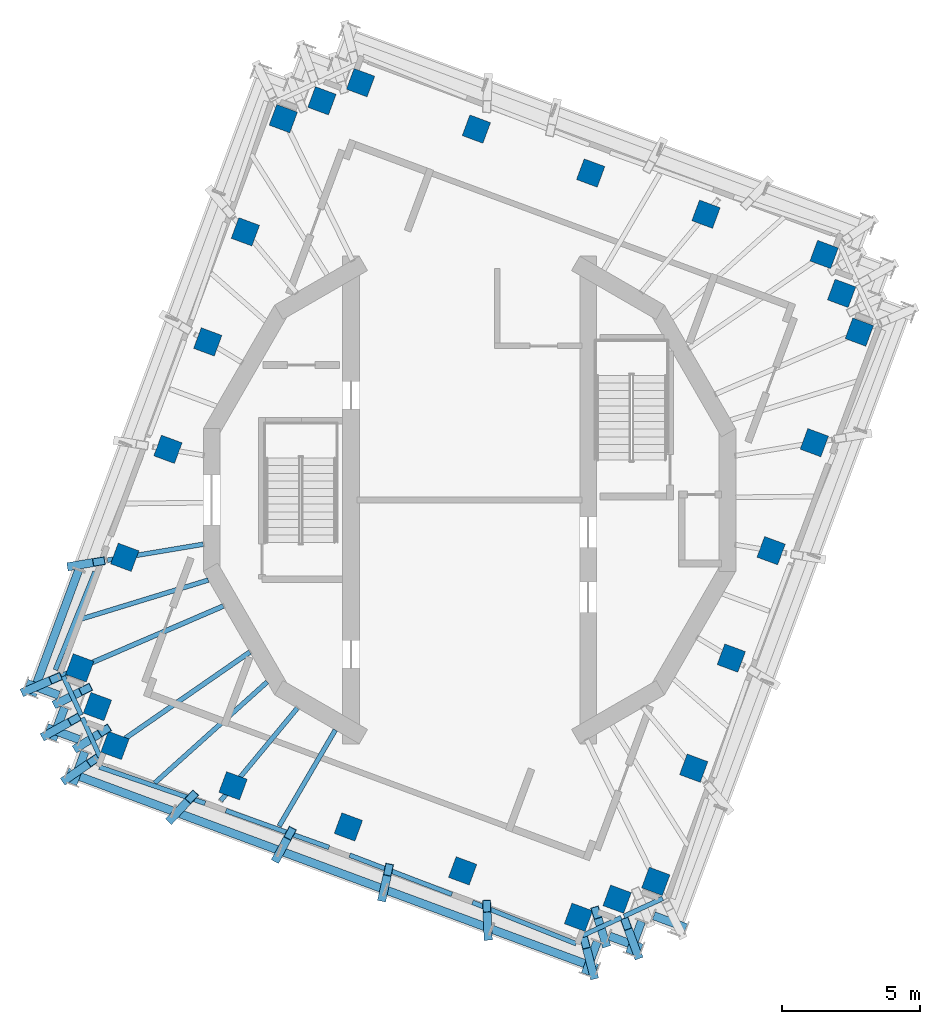
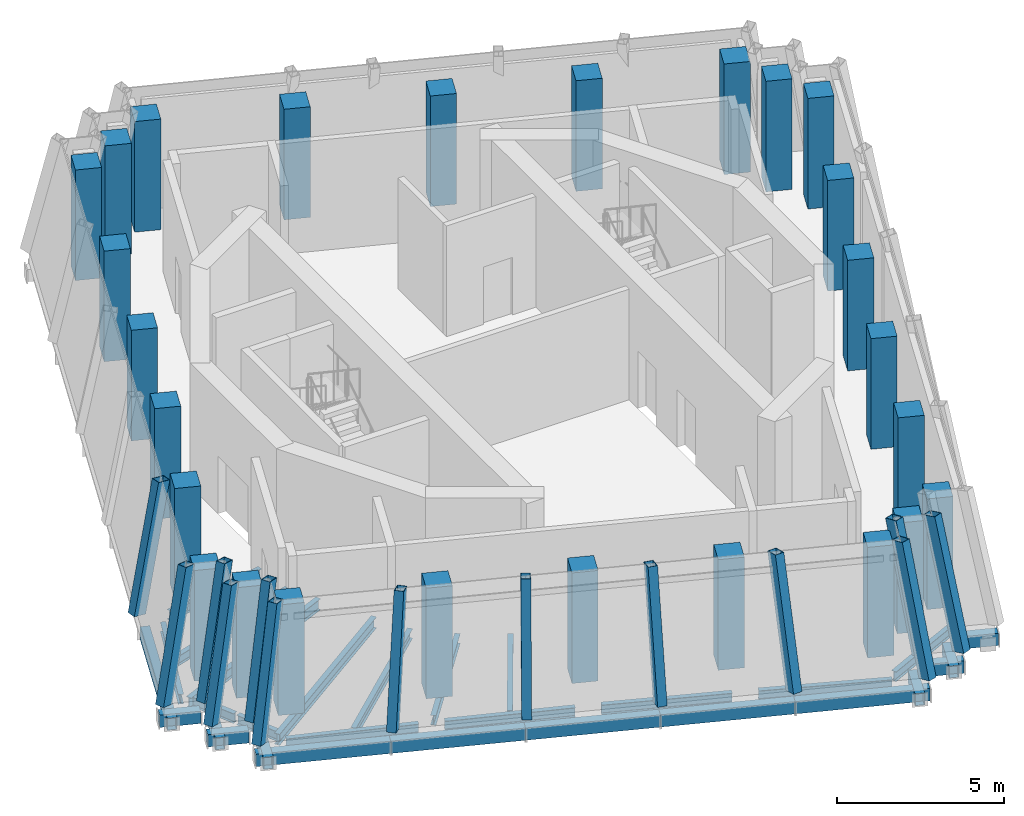
# One storey, part 1 of 12: 27 members, 26 columns, 16 beams, 14 elements without a shape of their own.
"""IFC4 building model written with IfcOpenShell, lengths in metres."""

from ifc_helpers import new_model, si_unit, direction, frame, origin, origin_2d, place, context, subcontext, project, spatial, rectangle, hollow_rectangle, i_section, extrude, material, material_profile, profile_set, type_object, element, aggregate, save


model = new_model("IFC4")

# Units and contexts
model_context = context("Model", 3, precision=1e-05, world=origin(), true_north=direction((0.0, 1.0)))
body_context = subcontext(model_context, "Body", "Model", "MODEL_VIEW")
ifc_project = project(units=[si_unit("LENGTHUNIT", "METRE"), si_unit("AREAUNIT", "SQUARE_METRE"), si_unit("VOLUMEUNIT", "CUBIC_METRE"), si_unit("PLANEANGLEUNIT", "RADIAN"), si_unit("MASSUNIT", "GRAM", prefix="KILO")], contexts=[model_context])

# Site, building, storey
site_placement = place(None, origin())
site = spatial("IfcSite", under=ifc_project, at=site_placement, CompositionType="ELEMENT")
building_placement = place(site_placement, origin())
building = spatial("IfcBuilding", under=site, at=building_placement, Name="Cantera Rosa Tower", CompositionType="ELEMENT")
storey_placement = place(building_placement, frame((0.0, 0.0, 360.699951171875)))
storey = spatial("IfcBuildingStorey", under=building, at=storey_placement, Name="L81", CompositionType="ELEMENT", Elevation=360.699951171875)

# Columns
ifc_material_1 = material(Name="Concrete C50/60", Category="concrete")
ifc_material_profile_1 = material_profile(ifc_material_1, rectangle(XDim=0.800048828125, YDim=0.800048828125, at=origin_2d()), Name="RC COLUMN RC800X800 C50/60")
ifc_profile_set_1 = profile_set([ifc_material_profile_1], Name="Concrete C50/60")
column_type = type_object("IfcColumnType", Name="RC COLUMN RC800X800 C50/60", PredefinedType="COLUMN", material=ifc_profile_set_1)
for number, where, z_axis, x_axis, name in (
    (1, (12.8642578125, 8.907470703125, 0.0), (0.0, 0.0, 1.0), (0.347481234489, 0.937686936924, 0.0), "C-Z6-01 L81"),
    (2, (8.580078125, 10.368896484375, 0.0), (0.0, 0.0, 1.0), (0.347481234489, 0.937686936924, 0.0), "C-Z6-02 L81"),
    (3, (4.39599609375, 11.86279296875, 0.0), (0.0, 0.0, 1.0), (0.347481234489, 0.937686936924, 0.0), "C-Z6-03 L81"),
    (4, (0.248779296875, 13.456298828125, 0.0), (0.0, 0.0, 1.0), (0.347481234489, 0.937686936924, 0.0), "C-Z6-04 L81"),
    (5, (-3.953125, 15.1396484375, 0.0), (0.0, 0.0, 1.0), (0.347481234489, 0.937686936924, 0.0), "C-Z6-05 L81"),
    (6, (-5.3544921875, 14.48291015625, 0.0), (0.0, 0.0, 1.0), (0.347481234489, 0.937686936924, 0.0), "C-Z6-06 L81"),
    (7, (-6.7578125, 13.8359375, 0.0), (0.0, 0.0, 1.0), (0.347481234489, 0.937686936924, 0.0), "C-Z6-07 L81"),
    (8, (-8.133544921875, 9.729248046875, 0.0), (0.0, 0.0, 1.0), (0.347481234489, 0.937686936924, 0.0), "C-Z6-08 L81"),
    (9, (-9.49755859375, 5.73583984375, 0.0), (0.0, 0.0, 1.0), (0.347481234489, 0.937686936924, 0.0), "C-Z6-09 L81"),
    (10, (-10.94189453125, 1.83837890625, 0.0), (0.0, 0.0, 1.0), (0.347481234489, 0.937686936924, 0.0), "C-Z6-10 L81"),
    (11, (-12.509521484375, -2.07958984375, 0.0), (0.0, 0.0, 1.0), (0.347481234489, 0.937686936924, 0.0), "C-Z6-11 L81"),
    (12, (-14.14208984375, -6.0908203125, 0.0), (0.0, 0.0, 1.0), (0.347481234489, 0.937686936924, 0.0), "C-Z6-12 L81"),
    (13, (-13.49951171875, -7.496337890625, 0.0), (0.0, 0.0, 1.0), (0.347481234489, 0.937686936924, 0.0), "C-Z6-13 L81"),
    (14, (-12.8642578125, -8.907470703125, 0.0), (0.0, 0.0, 1.0), (0.347481234489, 0.937686936924, 0.0), "C-Z6-14 L81"),
    (15, (-8.580078125, -10.368896484375, 0.0), (0.0, 0.0, 1.0), (0.347481234489, 0.937686936924, 0.0), "C-Z6-15 L81"),
    (16, (-4.39599609375, -11.86279296875, 0.0), (0.0, 0.0, 1.0), (0.347481234489, 0.937686936924, 0.0), "C-Z6-16 L81"),
    (17, (-0.248779296875, -13.456298828125, 0.0), (0.0, 0.0, 1.0), (0.347481234489, 0.937686936924, 0.0), "C-Z6-17 L81"),
    (18, (3.953125, -15.1396484375, 0.0), (0.0, 0.0, 1.0), (0.347481234489, 0.937686936924, 0.0), "C-Z6-18 L81"),
    (19, (5.3544921875, -14.48291015625, 0.0), (0.0, 0.0, 1.0), (0.347481234489, 0.937686936924, 0.0), "C-Z6-19 L81"),
    (20, (6.7578125, -13.8359375, 0.0), (0.0, 0.0, 1.0), (0.347481234489, 0.937686936924, 0.0), "C-Z6-20 L81"),
    (21, (8.133544921875, -9.729248046875, 0.0), (0.0, 0.0, 1.0), (0.347481234489, 0.937686936924, 0.0), "C-Z6-21 L81"),
    (22, (9.49755859375, -5.73583984375, 0.0), (0.0, 0.0, 1.0), (0.347481234489, 0.937686936924, 0.0), "C-Z6-22 L81"),
    (23, (10.94189453125, -1.83837890625, 0.0), (0.0, 0.0, 1.0), (0.347481234489, 0.937686936924, 0.0), "C-Z6-23 L81"),
    (24, (12.509521484375, 2.07958984375, 0.0), (0.0, 0.0, 1.0), (0.347481234489, 0.937686936924, 0.0), "C-Z6-24 L81"),
    (25, (14.14208984375, 6.0908203125, 0.0), (0.0, 0.0, 1.0), (0.347481234489, 0.937686936924, 0.0), "C-Z6-25 L81"),
    (26, (13.49951171875, 7.496337890625, 0.0), (0.0, 0.0, 1.0), (0.347481234489, 0.937686936924, 0.0), "C-Z6-26 L81"),
):
    element("IfcColumn", number, at=place(storey_placement, frame(where, z_axis=z_axis, x_axis=x_axis)), inside=storey, type_object=column_type, Name=name, PredefinedType="COLUMN", context=body_context, shape_type="SweptSolid", body=[
        extrude(rectangle(XDim=0.800048828125, YDim=0.800048828125, at=origin_2d()), origin(), (0.0, 0.0, 1.0), 4.050048828125),
    ])

# Curtain wall, member
ifc_material_2 = material(Name="Aluminium frame with clear glass", Category="aluminium")
curtain_wall_type = type_object("IfcCurtainWallType", Name="CW4 CROWN GLAZING", PredefinedType="NOTDEFINED", material=ifc_material_2)
curtain_wall_1_placement = place(storey_placement, origin())
curtain_wall_1 = element("IfcCurtainWall", 27, at=curtain_wall_1_placement, inside=storey, type_object=curtain_wall_type, Name="CW4 L81-14", PredefinedType="NOTDEFINED")
ifc_material_3 = material(Name="Steel S355J2 (EN 10025-2)", Category="steel")
ifc_material_profile_2 = material_profile(ifc_material_3, hollow_rectangle(XDim=0.300048828125, YDim=0.449951171875, WallThickness=0.01611328125, at=origin_2d()), Name="CROWN FRAME MULLION RHS 300x450x16")
ifc_profile_set_2 = profile_set([ifc_material_profile_2], Name="Steel S355J2 (EN 10025-2)")
member_type_1 = type_object("IfcMemberType", Name="CROWN FRAME MULLION RHS 300x450x16", PredefinedType="MULLION", material=ifc_profile_set_2)
member_1_placement = place(storey_placement, frame((-14.3740234375, -2.3896484375, 0.0), z_axis=(0.201701136075, 0.033563748815, 0.978871864174), x_axis=(-0.164146276387, 0.986436009049, 0.0)))
member_1 = element("IfcMember", 28, at=member_1_placement, type_object=member_type_1, Name="CROWN FRAME rib L81-14", PredefinedType="MULLION", context=body_context, shape_type="SweptSolid", body=[
    extrude(hollow_rectangle(XDim=0.300048828125, YDim=0.449951171875, WallThickness=0.01611328125, at=origin_2d()), origin(), (0.0, 0.0, 1.0), 4.59716796875),
])

curtain_wall_2_placement = place(storey_placement, origin())
curtain_wall_2 = element("IfcCurtainWall", 29, at=curtain_wall_2_placement, inside=storey, type_object=curtain_wall_type, Name="CW4 L81-15", PredefinedType="NOTDEFINED")
member_2_placement = place(storey_placement, frame((-16.050048828125, -6.91259765625, 0.0), z_axis=(0.223191165167, 0.096149554058, 0.970021116804), x_axis=(-0.395643566928, 0.918404141949, 0.0)))
member_2 = element("IfcMember", 30, at=member_2_placement, type_object=member_type_1, Name="CROWN FRAME rib L81-15", PredefinedType="MULLION", context=body_context, shape_type="SweptSolid", body=[
    extrude(hollow_rectangle(XDim=0.300048828125, YDim=0.449951171875, WallThickness=0.01611328125, at=origin_2d()), origin(), (0.0, 0.0, 1.0), 4.63916015625),
])

curtain_wall_3_placement = place(storey_placement, origin())
curtain_wall_3 = element("IfcCurtainWall", 31, at=curtain_wall_3_placement, inside=storey, type_object=curtain_wall_type, Name="CW4 L81-16", PredefinedType="NOTDEFINED")
member_3_placement = place(storey_placement, frame((-14.887451171875, -7.343505859375, 0.0), z_axis=(0.207633650864, 0.102444564394, 0.972827517217), x_axis=(-0.442465792491, 0.896785382617, 0.0)))
member_3 = element("IfcMember", 32, at=member_3_placement, type_object=member_type_1, Name="CROWN FRAME rib L81-16", PredefinedType="MULLION", context=body_context, shape_type="SweptSolid", body=[
    extrude(hollow_rectangle(XDim=0.300048828125, YDim=0.449951171875, WallThickness=0.01611328125, at=origin_2d()), origin(), (0.0, 0.0, 1.0), 4.625732421875),
])

curtain_wall_4_placement = place(storey_placement, origin())
curtain_wall_4 = element("IfcCurtainWall", 33, at=curtain_wall_4_placement, inside=storey, type_object=curtain_wall_type, Name="CW4 L81-17", PredefinedType="NOTDEFINED")
member_4_placement = place(storey_placement, frame((-15.318359375, -8.50634765625, 0.0), z_axis=(0.212999998171, 0.118286560249, 0.96986560432), x_axis=(-0.485496229045, 0.874238761199, 0.0)))
member_4 = element("IfcMember", 34, at=member_4_placement, type_object=member_type_1, Name="CROWN FRAME rib L81-17", PredefinedType="MULLION", context=body_context, shape_type="SweptSolid", body=[
    extrude(hollow_rectangle(XDim=0.300048828125, YDim=0.449951171875, WallThickness=0.01611328125, at=origin_2d()), origin(), (0.0, 0.0, 1.0), 4.639892578125),
])

curtain_wall_5_placement = place(storey_placement, origin())
curtain_wall_5 = element("IfcCurtainWall", 35, at=curtain_wall_5_placement, inside=storey, type_object=curtain_wall_type, Name="CW4 L81-18", PredefinedType="NOTDEFINED")
member_5_placement = place(storey_placement, frame((-14.155517578125, -8.93701171875, 0.0), z_axis=(0.197357778973, 0.124555390579, 0.972386683247), x_axis=(-0.53371229753, 0.845666118196, 0.0)))
member_5 = element("IfcMember", 36, at=member_5_placement, type_object=member_type_1, Name="CROWN FRAME rib L81-18", PredefinedType="MULLION", context=body_context, shape_type="SweptSolid", body=[
    extrude(hollow_rectangle(XDim=0.300048828125, YDim=0.449951171875, WallThickness=0.01611328125, at=origin_2d()), origin(), (0.0, 0.0, 1.0), 4.627685546875),
])

curtain_wall_6_placement = place(storey_placement, origin())
curtain_wall_6 = element("IfcCurtainWall", 37, at=curtain_wall_6_placement, inside=storey, type_object=curtain_wall_type, Name="CW4 L81-19", PredefinedType="NOTDEFINED")
member_6_placement = place(storey_placement, frame((-14.58642578125, -10.099853515625, 0.0), z_axis=(0.202691806928, 0.140333186171, 0.969134989701), x_axis=(-0.569232159269, 0.822176835513, 0.0)))
member_6 = element("IfcMember", 38, at=member_6_placement, type_object=member_type_1, Name="CROWN FRAME rib L81-19", PredefinedType="MULLION", context=body_context, shape_type="SweptSolid", body=[
    extrude(hollow_rectangle(XDim=0.300048828125, YDim=0.449951171875, WallThickness=0.01611328125, at=origin_2d()), origin(), (0.0, 0.0, 1.0), 4.643310546875),
])

curtain_wall_7_placement = place(storey_placement, origin())
curtain_wall_7 = element("IfcCurtainWall", 39, at=curtain_wall_7_placement, inside=storey, type_object=curtain_wall_type, Name="CW4 L81-20", PredefinedType="NOTDEFINED")
member_7_placement = place(storey_placement, frame((-10.772705078125, -11.51318359375, 0.0), z_axis=(0.150657300522, 0.161029211622, 0.975382986731), x_axis=(-0.730232793213, 0.683198410212, 0.0)))
member_7 = element("IfcMember", 40, at=member_7_placement, type_object=member_type_1, Name="CROWN FRAME rib L81-20", PredefinedType="MULLION", context=body_context, shape_type="SweptSolid", body=[
    extrude(hollow_rectangle(XDim=0.300048828125, YDim=0.449951171875, WallThickness=0.01611328125, at=origin_2d()), origin(), (0.0, 0.0, 1.0), 4.613525390625),
])

curtain_wall_8_placement = place(storey_placement, origin())
curtain_wall_8 = element("IfcCurtainWall", 41, at=curtain_wall_8_placement, inside=storey, type_object=curtain_wall_type, Name="CW4 L81-21", PredefinedType="NOTDEFINED")
member_8_placement = place(storey_placement, frame((-6.958984375, -12.926513671875, 0.0), z_axis=(0.097632922217, 0.181356205706, 0.978559011584), x_axis=(-0.880512480257, 0.474022965806, 0.0)))
member_8 = element("IfcMember", 42, at=member_8_placement, type_object=member_type_1, Name="CROWN FRAME rib L81-21", PredefinedType="MULLION", context=body_context, shape_type="SweptSolid", body=[
    extrude(hollow_rectangle(XDim=0.300048828125, YDim=0.449951171875, WallThickness=0.01611328125, at=origin_2d()), origin(), (0.0, 0.0, 1.0), 4.5986328125),
])

curtain_wall_9_placement = place(storey_placement, origin())
curtain_wall_9 = element("IfcCurtainWall", 43, at=curtain_wall_9_placement, inside=storey, type_object=curtain_wall_type, Name="CW4 L81-22", PredefinedType="NOTDEFINED")
member_9_placement = place(storey_placement, frame((-3.145263671875, -14.339599609375, 0.0), z_axis=(0.044171205437, 0.201159492068, 0.978562089681), x_axis=(-0.976729857256, 0.214473275597, 0.0)))
member_9 = element("IfcMember", 44, at=member_9_placement, type_object=member_type_1, Name="CROWN FRAME rib L81-22", PredefinedType="MULLION", context=body_context, shape_type="SweptSolid", body=[
    extrude(hollow_rectangle(XDim=0.300048828125, YDim=0.449951171875, WallThickness=0.01611328125, at=origin_2d()), origin(), (0.0, 0.0, 1.0), 4.5986328125),
])

curtain_wall_10_placement = place(storey_placement, origin())
curtain_wall_10 = element("IfcCurtainWall", 45, at=curtain_wall_10_placement, inside=storey, type_object=curtain_wall_type, Name="CW4 L81-23", PredefinedType="NOTDEFINED")
member_10_placement = place(storey_placement, frame((0.668701171875, -15.7529296875, 0.0), z_axis=(-0.009366514803, 0.220298311451, 0.975387575465), x_axis=(-0.999097358313, -0.042479037334, 0.0)))
member_10 = element("IfcMember", 46, at=member_10_placement, type_object=member_type_1, Name="CROWN FRAME rib L81-23", PredefinedType="MULLION", context=body_context, shape_type="SweptSolid", body=[
    extrude(hollow_rectangle(XDim=0.300048828125, YDim=0.449951171875, WallThickness=0.01611328125, at=origin_2d()), origin(), (0.0, 0.0, 1.0), 4.613525390625),
])

curtain_wall_11_placement = place(storey_placement, origin())
curtain_wall_11 = element("IfcCurtainWall", 47, at=curtain_wall_11_placement, inside=storey, type_object=curtain_wall_type, Name="CW4 L81-24", PredefinedType="NOTDEFINED")
member_11_placement = place(storey_placement, frame((4.482421875, -17.166259765625, 0.0), z_axis=(-0.062306478041, 0.238499733664, 0.96914177489), x_axis=(-0.967528872957, -0.252760519059, 0.0)))
member_11 = element("IfcMember", 48, at=member_11_placement, type_object=member_type_1, Name="CROWN FRAME rib L81-24", PredefinedType="MULLION", context=body_context, shape_type="SweptSolid", body=[
    extrude(hollow_rectangle(XDim=0.300048828125, YDim=0.449951171875, WallThickness=0.01611328125, at=origin_2d()), origin(), (0.0, 0.0, 1.0), 4.643310546875),
])

curtain_wall_12_placement = place(storey_placement, origin())
curtain_wall_12 = element("IfcCurtainWall", 49, at=curtain_wall_12_placement, inside=storey, type_object=curtain_wall_type, Name="CW4 L81-25", PredefinedType="NOTDEFINED")
member_12_placement = place(storey_placement, frame((4.913330078125, -16.00341796875, 0.0), z_axis=(-0.068528972044, 0.223101634159, 0.972383381607), x_axis=(-0.955920630537, -0.293625183038, 0.0)))
member_12 = element("IfcMember", 50, at=member_12_placement, type_object=member_type_1, Name="CROWN FRAME rib L81-25", PredefinedType="MULLION", context=body_context, shape_type="SweptSolid", body=[
    extrude(hollow_rectangle(XDim=0.300048828125, YDim=0.449951171875, WallThickness=0.01611328125, at=origin_2d()), origin(), (0.0, 0.0, 1.0), 4.627685546875),
])

curtain_wall_13_placement = place(storey_placement, origin())
curtain_wall_13 = element("IfcCurtainWall", 51, at=curtain_wall_13_placement, inside=storey, type_object=curtain_wall_type, Name="CW4 L81-26", PredefinedType="NOTDEFINED")
member_13_placement = place(storey_placement, frame((6.075927734375, -16.434326171875, 0.0), z_axis=(-0.084453064974, 0.228523153383, 0.969868469528), x_axis=(-0.937996025489, -0.34664600988, 0.0)))
member_13 = element("IfcMember", 52, at=member_13_placement, type_object=member_type_1, Name="CROWN FRAME rib L81-26", PredefinedType="MULLION", context=body_context, shape_type="SweptSolid", body=[
    extrude(hollow_rectangle(XDim=0.300048828125, YDim=0.449951171875, WallThickness=0.01611328125, at=origin_2d()), origin(), (0.0, 0.0, 1.0), 4.639892578125),
])

# Member
ifc_material_4 = material(Name="Steel S355J2 (EN 10025-2)", Category="steel")
ifc_material_profile_3 = material_profile(ifc_material_4, hollow_rectangle(XDim=0.300048828125, YDim=0.449951171875, WallThickness=0.01611328125, at=origin_2d()), Name="CROWN FRAME PURLIN RHS 300x450x16")
ifc_profile_set_3 = profile_set([ifc_material_profile_3], Name="Steel S355J2 (EN 10025-2)")
member_type_2 = type_object("IfcMemberType", Name="CROWN FRAME PURLIN RHS 300x450x16", PredefinedType="PURLIN", material=ifc_profile_set_3)
member_14_placement = place(storey_placement, frame((-14.17724609375, -2.5302734375, -0.675048828125), z_axis=(-0.347497368256, -0.937680958032, 0.0), x_axis=(0.937680958032, -0.347497368256, 0.0)))
member_14 = element("IfcMember", 53, at=member_14_placement, type_object=member_type_2, Name="CROWN FRAME purlin L81-14", PredefinedType="PURLIN", context=body_context, shape_type="SweptSolid", body=[
    extrude(hollow_rectangle(XDim=0.300048828125, YDim=0.449951171875, WallThickness=0.01611328125, at=origin_2d()), origin(), (0.0, 0.0, 1.0), 4.865966796875),
])

aggregate(curtain_wall_1, [member_1, member_14])

member_15_placement = place(storey_placement, frame((-16.072021484375, -6.650146484375, -0.675048828125), z_axis=(0.937661634889, -0.347549505044, 0.0), x_axis=(0.347549505044, 0.937661634889, 0.0)))
member_15 = element("IfcMember", 54, at=member_15_placement, type_object=member_type_2, Name="CROWN FRAME purlin L81-15", PredefinedType="PURLIN", context=body_context, shape_type="SweptSolid", body=[
    extrude(hollow_rectangle(XDim=0.300048828125, YDim=0.449951171875, WallThickness=0.01611328125, at=origin_2d()), origin(), (0.0, 0.0, 1.0), 1.2509765625),
])

aggregate(curtain_wall_2, [member_2, member_15])

member_16_placement = place(storey_placement, frame((-14.695556640625, -7.528564453125, -0.675048828125), z_axis=(-0.347377916131, -0.93772521742, 0.0), x_axis=(0.93772521742, -0.347377916131, 0.0)))
member_16 = element("IfcMember", 55, at=member_16_placement, type_object=member_type_2, Name="CROWN FRAME purlin L81-16", PredefinedType="PURLIN", context=body_context, shape_type="SweptSolid", body=[
    extrude(hollow_rectangle(XDim=0.300048828125, YDim=0.449951171875, WallThickness=0.01611328125, at=origin_2d()), origin(), (0.0, 0.0, 1.0), 1.2509765625),
])

aggregate(curtain_wall_3, [member_3, member_16])

member_17_placement = place(storey_placement, frame((-15.332763671875, -8.258056640625, -0.675048828125), z_axis=(0.937661634889, -0.347549505044, 0.0), x_axis=(0.347549505044, 0.937661634889, 0.0)))
member_17 = element("IfcMember", 56, at=member_17_placement, type_object=member_type_2, Name="CROWN FRAME purlin L81-17", PredefinedType="PURLIN", context=body_context, shape_type="SweptSolid", body=[
    extrude(hollow_rectangle(XDim=0.300048828125, YDim=0.449951171875, WallThickness=0.01611328125, at=origin_2d()), origin(), (0.0, 0.0, 1.0), 1.2509765625),
])

aggregate(curtain_wall_4, [member_4, member_17])

member_18_placement = place(storey_placement, frame((-13.95751953125, -9.137451171875, -0.675048828125), z_axis=(-0.347549505044, -0.937661634889, 0.0), x_axis=(0.937661634889, -0.347549505044, 0.0)))
member_18 = element("IfcMember", 57, at=member_18_placement, type_object=member_type_2, Name="CROWN FRAME purlin L81-18", PredefinedType="PURLIN", context=body_context, shape_type="SweptSolid", body=[
    extrude(hollow_rectangle(XDim=0.300048828125, YDim=0.449951171875, WallThickness=0.01611328125, at=origin_2d()), origin(), (0.0, 0.0, 1.0), 1.2509765625),
])

aggregate(curtain_wall_5, [member_5, member_18])

member_19_placement = place(storey_placement, frame((-14.593505859375, -9.865966796875, -0.675048828125), z_axis=(0.937681980064, -0.347494610408, 0.0), x_axis=(0.347494610408, 0.937681980064, 0.0)))
member_19 = element("IfcMember", 58, at=member_19_placement, type_object=member_type_2, Name="CROWN FRAME purlin L81-19", PredefinedType="PURLIN", context=body_context, shape_type="SweptSolid", body=[
    extrude(hollow_rectangle(XDim=0.300048828125, YDim=0.449951171875, WallThickness=0.01611328125, at=origin_2d()), origin(), (0.0, 0.0, 1.0), 4.102294921875),
])

aggregate(curtain_wall_6, [member_6, member_19])

member_20_placement = place(storey_placement, frame((-10.746826171875, -11.29150390625, -0.675048828125), z_axis=(0.937681980064, -0.347494610408, 0.0), x_axis=(0.347494610408, 0.937681980064, 0.0)))
member_20 = element("IfcMember", 59, at=member_20_placement, type_object=member_type_2, Name="CROWN FRAME purlin L81-20", PredefinedType="PURLIN", context=body_context, shape_type="SweptSolid", body=[
    extrude(hollow_rectangle(XDim=0.300048828125, YDim=0.449951171875, WallThickness=0.01611328125, at=origin_2d()), origin(), (0.0, 0.0, 1.0), 4.102294921875),
])

aggregate(curtain_wall_7, [member_7, member_20])

member_21_placement = place(storey_placement, frame((-6.900146484375, -12.717041015625, -0.675048828125), z_axis=(0.937689165769, -0.347475219834, 0.0), x_axis=(0.347475219834, 0.937689165769, 0.0)))
member_21 = element("IfcMember", 60, at=member_21_placement, type_object=member_type_2, Name="CROWN FRAME purlin L81-21", PredefinedType="PURLIN", context=body_context, shape_type="SweptSolid", body=[
    extrude(hollow_rectangle(XDim=0.300048828125, YDim=0.449951171875, WallThickness=0.01611328125, at=origin_2d()), origin(), (0.0, 0.0, 1.0), 4.1025390625),
])

aggregate(curtain_wall_8, [member_8, member_21])

member_22_placement = place(storey_placement, frame((-3.05322265625, -14.142578125, -0.675048828125), z_axis=(0.937701370587, -0.3474422824, 0.0), x_axis=(0.3474422824, 0.937701370587, 0.0)))
member_22 = element("IfcMember", 61, at=member_22_placement, type_object=member_type_2, Name="CROWN FRAME purlin L81-22", PredefinedType="PURLIN", context=body_context, shape_type="SweptSolid", body=[
    extrude(hollow_rectangle(XDim=0.300048828125, YDim=0.449951171875, WallThickness=0.01611328125, at=origin_2d()), origin(), (0.0, 0.0, 1.0), 4.102294921875),
])

aggregate(curtain_wall_9, [member_9, member_22])

member_23_placement = place(storey_placement, frame((0.79345703125, -15.56787109375, -0.675048828125), z_axis=(0.937681980064, -0.347494610408, 0.0), x_axis=(0.347494610408, 0.937681980064, 0.0)))
member_23 = element("IfcMember", 62, at=member_23_placement, type_object=member_type_2, Name="CROWN FRAME purlin L81-23", PredefinedType="PURLIN", context=body_context, shape_type="SweptSolid", body=[
    extrude(hollow_rectangle(XDim=0.300048828125, YDim=0.449951171875, WallThickness=0.01611328125, at=origin_2d()), origin(), (0.0, 0.0, 1.0), 4.102294921875),
])

aggregate(curtain_wall_10, [member_10, member_23])

member_24_placement = place(storey_placement, frame((4.19775390625, -17.199462890625, -0.675048828125), z_axis=(0.347549505044, 0.937661634889, 0.0), x_axis=(-0.937661634889, 0.347549505044, 0.0)))
member_24 = element("IfcMember", 63, at=member_24_placement, type_object=member_type_2, Name="CROWN FRAME purlin L81-24", PredefinedType="PURLIN", context=body_context, shape_type="SweptSolid", body=[
    extrude(hollow_rectangle(XDim=0.300048828125, YDim=0.449951171875, WallThickness=0.01611328125, at=origin_2d()), origin(), (0.0, 0.0, 1.0), 1.2509765625),
])

aggregate(curtain_wall_11, [member_11, member_24])

member_25_placement = place(storey_placement, frame((5.07568359375, -15.821044921875, -0.675048828125), z_axis=(0.937701661187, -0.347441498108, 0.0), x_axis=(0.347441498108, 0.937701661187, 0.0)))
member_25 = element("IfcMember", 64, at=member_25_placement, type_object=member_type_2, Name="CROWN FRAME purlin L81-25", PredefinedType="PURLIN", context=body_context, shape_type="SweptSolid", body=[
    extrude(hollow_rectangle(XDim=0.300048828125, YDim=0.449951171875, WallThickness=0.01611328125, at=origin_2d()), origin(), (0.0, 0.0, 1.0), 1.250732421875),
])

aggregate(curtain_wall_12, [member_12, member_25])

member_26_placement = place(storey_placement, frame((5.805908203125, -16.4599609375, -0.675048828125), z_axis=(0.3476131098, 0.937638056979, 0.0), x_axis=(-0.937638056979, 0.3476131098, 0.0)))
member_26 = element("IfcMember", 65, at=member_26_placement, type_object=member_type_2, Name="CROWN FRAME purlin L81-26", PredefinedType="PURLIN", context=body_context, shape_type="SweptSolid", body=[
    extrude(hollow_rectangle(XDim=0.300048828125, YDim=0.449951171875, WallThickness=0.01611328125, at=origin_2d()), origin(), (0.0, 0.0, 1.0), 1.2509765625),
])

aggregate(curtain_wall_13, [member_13, member_26])

# Curtain wall, member
curtain_wall_14_placement = place(storey_placement, origin())
curtain_wall_14 = element("IfcCurtainWall", 66, at=curtain_wall_14_placement, inside=storey, type_object=curtain_wall_type, Name="CW4 L81-27", PredefinedType="NOTDEFINED")
member_27_placement = place(storey_placement, frame((6.68408203125, -15.0830078125, -0.675048828125), z_axis=(0.93772521742, -0.347377916131, 0.0), x_axis=(0.347377916131, 0.93772521742, 0.0)))
member_27 = element("IfcMember", 67, at=member_27_placement, type_object=member_type_2, Name="CROWN FRAME purlin L81-27", PredefinedType="PURLIN", context=body_context, shape_type="SweptSolid", body=[
    extrude(hollow_rectangle(XDim=0.300048828125, YDim=0.449951171875, WallThickness=0.01611328125, at=origin_2d()), origin(), (0.0, 0.0, 1.0), 1.2509765625),
])
aggregate(curtain_wall_14, [member_27])

# Beams
ifc_material_5 = material(Name="Steel ASTM A992 (Fy 345 MPa)", Category="steel")
ifc_material_profile_4 = material_profile(ifc_material_5, i_section(OverallWidth=0.1708984375, OverallDepth=0.35595703125, WebThickness=0.00732421875, FlangeThickness=0.01171875, FilletRadius=0.010009765625, at=origin_2d()), Name="W360X51")
ifc_profile_set_4 = profile_set([ifc_material_profile_4], Name="Steel ASTM A992 (Fy 345 MPa)")
beam_type_1 = type_object("IfcBeamType", Name="STEEL BEAM W360X51", PredefinedType="BEAM", material=ifc_profile_set_4)
beam_1_placement = place(storey_placement, frame((-13.140869140625, -2.1845703125, -0.6279296875), z_axis=(0.986459278503, 0.164006377486, 0.0), x_axis=(-0.164006377486, 0.986459278503, 0.0)))
element("IfcBeam", 68, at=beam_1_placement, inside=storey, type_object=beam_type_1, Name="CG-Z6-07 L81", PredefinedType="BEAM", context=body_context, shape_type="SweptSolid", body=[
    extrude(i_section(OverallWidth=0.1708984375, OverallDepth=0.35595703125, WebThickness=0.00732421875, FlangeThickness=0.01171875, FilletRadius=0.010009765625, at=origin_2d()), origin(), (0.0, 0.0, 1.0), 3.529541015625),
])
beam_2_placement = place(storey_placement, frame((-9.022216796875, -10.9033203125, -0.6279296875), z_axis=(0.637495439118, 0.770454129137, 0.0), x_axis=(-0.770454129137, 0.637495439118, 0.0)))
element("IfcBeam", 69, at=beam_2_placement, inside=storey, type_object=beam_type_1, Name="CG-Z6-10 L81", PredefinedType="BEAM", context=body_context, shape_type="SweptSolid", body=[
    extrude(i_section(OverallWidth=0.1708984375, OverallDepth=0.35595703125, WebThickness=0.00732421875, FlangeThickness=0.01171875, FilletRadius=0.010009765625, at=origin_2d()), origin(), (0.0, 0.0, 1.0), 4.35546875),
])
beam_3_placement = place(storey_placement, frame((-14.192626953125, -4.35009765625, -0.6279296875), z_axis=(0.9560941556, 0.293059662231, 0.0), x_axis=(-0.293059662231, 0.9560941556, 0.0)))
element("IfcBeam", 70, at=beam_3_placement, inside=storey, type_object=beam_type_1, Name="CB-Z6-07 L81", PredefinedType="BEAM", context=body_context, shape_type="SweptSolid", body=[
    extrude(i_section(OverallWidth=0.1708984375, OverallDepth=0.35595703125, WebThickness=0.00732421875, FlangeThickness=0.01171875, FilletRadius=0.010009765625, at=origin_2d()), origin(), (0.0, 0.0, 1.0), 4.9326171875),
])
beam_4_placement = place(storey_placement, frame((-11.420166015625, -10.2666015625, -0.6279296875), z_axis=(0.743665979718, 0.668551352261, 0.0), x_axis=(-0.668551352261, 0.743665979718, 0.0)))
element("IfcBeam", 71, at=beam_4_placement, inside=storey, type_object=beam_type_1, Name="CB-Z6-08 L81", PredefinedType="BEAM", context=body_context, shape_type="SweptSolid", body=[
    extrude(i_section(OverallWidth=0.1708984375, OverallDepth=0.35595703125, WebThickness=0.00732421875, FlangeThickness=0.01171875, FilletRadius=0.010009765625, at=origin_2d()), origin(), (0.0, 0.0, 1.0), 5.483154296875),
])
beam_5_placement = place(storey_placement, frame((-6.9072265625, -11.834716796875, -0.6279296875), z_axis=(0.504096252893, 0.863647478905, 0.0), x_axis=(-0.863647478905, 0.504096252893, 0.0)))
element("IfcBeam", 72, at=beam_5_placement, inside=storey, type_object=beam_type_1, Name="CB-Z6-09 L81", PredefinedType="BEAM", context=body_context, shape_type="SweptSolid", body=[
    extrude(i_section(OverallWidth=0.1708984375, OverallDepth=0.35595703125, WebThickness=0.00732421875, FlangeThickness=0.01171875, FilletRadius=0.010009765625, at=origin_2d()), origin(), (0.0, 0.0, 1.0), 4.04345703125),
])
ifc_material_6 = material(Name="Steel ASTM A992 (Fy 345 MPa)", Category="steel")
ifc_material_profile_5 = material_profile(ifc_material_6, i_section(OverallWidth=0.177978515625, OverallDepth=0.406005859375, WebThickness=0.0078125, FlangeThickness=0.0126953125, FilletRadius=0.01025390625, at=origin_2d()), Name="W410X60")
ifc_profile_set_5 = profile_set([ifc_material_profile_5], Name="Steel ASTM A992 (Fy 345 MPa)")
beam_type_2 = type_object("IfcBeamType", Name="STEEL BEAM W410X60", PredefinedType="BEAM", material=ifc_profile_set_5)
beam_6_placement = place(storey_placement, frame((-14.902099609375, -6.418212890625, -0.65283203125), z_axis=(0.918442218137, 0.395555169279, 0.0), x_axis=(-0.395555169279, 0.918442218137, 0.0)))
element("IfcBeam", 73, at=beam_6_placement, inside=storey, type_object=beam_type_2, Name="CG-Z6-08 L81", PredefinedType="BEAM", context=body_context, shape_type="SweptSolid", body=[
    extrude(i_section(OverallWidth=0.177978515625, OverallDepth=0.406005859375, WebThickness=0.0078125, FlangeThickness=0.0126953125, FilletRadius=0.01025390625, at=origin_2d()), origin(), (0.0, 0.0, 1.0), 6.499755859375),
])
beam_7_placement = place(storey_placement, frame((-13.558837890625, -9.38818359375, -0.65283203125), z_axis=(0.822161169538, 0.56925478593, 0.0), x_axis=(-0.56925478593, 0.822161169538, 0.0)))
element("IfcBeam", 74, at=beam_7_placement, inside=storey, type_object=beam_type_2, Name="CG-Z6-09 L81", PredefinedType="BEAM", context=body_context, shape_type="SweptSolid", body=[
    extrude(i_section(OverallWidth=0.177978515625, OverallDepth=0.406005859375, WebThickness=0.0078125, FlangeThickness=0.0126953125, FilletRadius=0.01025390625, at=origin_2d()), origin(), (0.0, 0.0, 1.0), 6.7998046875),
])
ifc_material_7 = material(Name="Steel ASTM A992 (Fy 345 MPa)", Category="steel")
ifc_material_profile_6 = material_profile(ifc_material_7, i_section(OverallWidth=0.1708984375, OverallDepth=0.35595703125, WebThickness=0.00732421875, FlangeThickness=0.01171875, FilletRadius=0.010009765625, at=origin_2d()), Name="W360X51")
ifc_profile_set_6 = profile_set([ifc_material_profile_6], Name="Steel ASTM A992 (Fy 345 MPa)")
beam_type_3 = type_object("IfcBeamType", Name="STEEL SPANDREL BEAM W360X51", PredefinedType="SPANDREL", material=ifc_profile_set_6)
beam_8_placement = place(storey_placement, frame((-13.5869140625, -2.604736328125, -0.6279296875), z_axis=(-0.375036729005, -0.927009952426, 0.0), x_axis=(0.927009952426, -0.375036729005, 0.0)))
element("IfcBeam", 75, at=beam_8_placement, inside=storey, type_object=beam_type_3, Name="CEB-Z6-11 L81", PredefinedType="SPANDREL", context=body_context, shape_type="SweptSolid", body=[
    extrude(i_section(OverallWidth=0.1708984375, OverallDepth=0.35595703125, WebThickness=0.00732421875, FlangeThickness=0.01171875, FilletRadius=0.010009765625, at=origin_2d()), origin(), (0.0, 0.0, 1.0), 3.84130859375),
])
beam_9_placement = place(storey_placement, frame((-14.736328125, -6.395751953125, -0.6279296875), z_axis=(0.416013364264, -0.909358499578, 0.0), x_axis=(0.909358499578, 0.416013364264, 0.0)))
element("IfcBeam", 76, at=beam_9_placement, inside=storey, type_object=beam_type_3, Name="CEB-Z6-12 L81", PredefinedType="SPANDREL", context=body_context, shape_type="SweptSolid", body=[
    extrude(i_section(OverallWidth=0.1708984375, OverallDepth=0.35595703125, WebThickness=0.00732421875, FlangeThickness=0.01171875, FilletRadius=0.010009765625, at=origin_2d()), origin(), (0.0, 0.0, 1.0), 1.546875),
])
beam_10_placement = place(storey_placement, frame((-14.046630859375, -7.904541015625, -0.6279296875), z_axis=(0.410987067013, -0.911641174338, 0.0), x_axis=(0.911641174338, 0.410987067013, 0.0)))
element("IfcBeam", 77, at=beam_10_placement, inside=storey, type_object=beam_type_3, Name="CEB-Z6-13 L81", PredefinedType="SPANDREL", context=body_context, shape_type="SweptSolid", body=[
    extrude(i_section(OverallWidth=0.1708984375, OverallDepth=0.35595703125, WebThickness=0.00732421875, FlangeThickness=0.01171875, FilletRadius=0.010009765625, at=origin_2d()), origin(), (0.0, 0.0, 1.0), 1.54931640625),
])
beam_11_placement = place(storey_placement, frame((-13.427001953125, -9.68896484375, -0.6279296875), z_axis=(0.945883116391, -0.324507519368, 0.0), x_axis=(0.324507519368, 0.945883116391, 0.0)))
element("IfcBeam", 78, at=beam_11_placement, inside=storey, type_object=beam_type_3, Name="CEB-Z6-14 L81", PredefinedType="SPANDREL", context=body_context, shape_type="SweptSolid", body=[
    extrude(i_section(OverallWidth=0.1708984375, OverallDepth=0.35595703125, WebThickness=0.00732421875, FlangeThickness=0.01171875, FilletRadius=0.010009765625, at=origin_2d()), origin(), (0.0, 0.0, 1.0), 4.054443359375),
])
for number, where, z_axis, x_axis, name in (
    (79, (-8.8369140625, -11.269287109375, -0.6279296875), (0.941499612071, -0.337014065685, 0.0), (0.337014065685, 0.941499612071, 0.0), "CEB-Z6-15 L81"),
    (80, (-4.348388671875, -12.885498046875, -0.6279296875), (0.933752282315, -0.357919928576, 0.0), (0.357919928576, 0.933752282315, 0.0), "CEB-Z6-16 L81"),
):
    element("IfcBeam", number, at=place(storey_placement, frame(where, z_axis=z_axis, x_axis=x_axis)), inside=storey, type_object=beam_type_3, Name=name, PredefinedType="SPANDREL", context=body_context, shape_type="SweptSolid", body=[
        extrude(i_section(OverallWidth=0.1708984375, OverallDepth=0.35595703125, WebThickness=0.00732421875, FlangeThickness=0.01171875, FilletRadius=0.010009765625, at=origin_2d()), origin(), (0.0, 0.0, 1.0), 3.970458984375),
    ])
beam_12_placement = place(storey_placement, frame((0.1044921875, -14.597900390625, -0.6279296875), z_axis=(0.928941103957, -0.370227531903, 0.0), x_axis=(0.370227531903, 0.928941103957, 0.0)))
element("IfcBeam", 81, at=beam_12_placement, inside=storey, type_object=beam_type_3, Name="CEB-Z6-17 L81", PredefinedType="SPANDREL", context=body_context, shape_type="SweptSolid", body=[
    extrude(i_section(OverallWidth=0.1708984375, OverallDepth=0.35595703125, WebThickness=0.00732421875, FlangeThickness=0.01171875, FilletRadius=0.010009765625, at=origin_2d()), origin(), (0.0, 0.0, 1.0), 4.05419921875),
])
beam_13_placement = place(storey_placement, frame((4.10009765625, -15.8056640625, -0.6279296875), z_axis=(0.90578418035, 0.423739328629, 0.0), x_axis=(-0.423739328629, 0.90578418035, 0.0)))
element("IfcBeam", 82, at=beam_13_placement, inside=storey, type_object=beam_type_3, Name="CEB-Z6-18 L81", PredefinedType="SPANDREL", context=body_context, shape_type="SweptSolid", body=[
    extrude(i_section(OverallWidth=0.1708984375, OverallDepth=0.35595703125, WebThickness=0.00732421875, FlangeThickness=0.01171875, FilletRadius=0.010009765625, at=origin_2d()), origin(), (0.0, 0.0, 1.0), 1.54931640625),
])
beam_14_placement = place(storey_placement, frame((5.60498046875, -15.10205078125, -0.6279296875), z_axis=(0.908148653815, 0.418647850316, 0.0), x_axis=(-0.418647850316, 0.908148653815, 0.0)))
element("IfcBeam", 83, at=beam_14_placement, inside=storey, type_object=beam_type_3, Name="CEB-Z6-19 L81", PredefinedType="SPANDREL", context=body_context, shape_type="SweptSolid", body=[
    extrude(i_section(OverallWidth=0.1708984375, OverallDepth=0.35595703125, WebThickness=0.00732421875, FlangeThickness=0.01171875, FilletRadius=0.010009765625, at=origin_2d()), origin(), (0.0, 0.0, 1.0), 1.547119140625),
])

save(model, "model.ifc")
